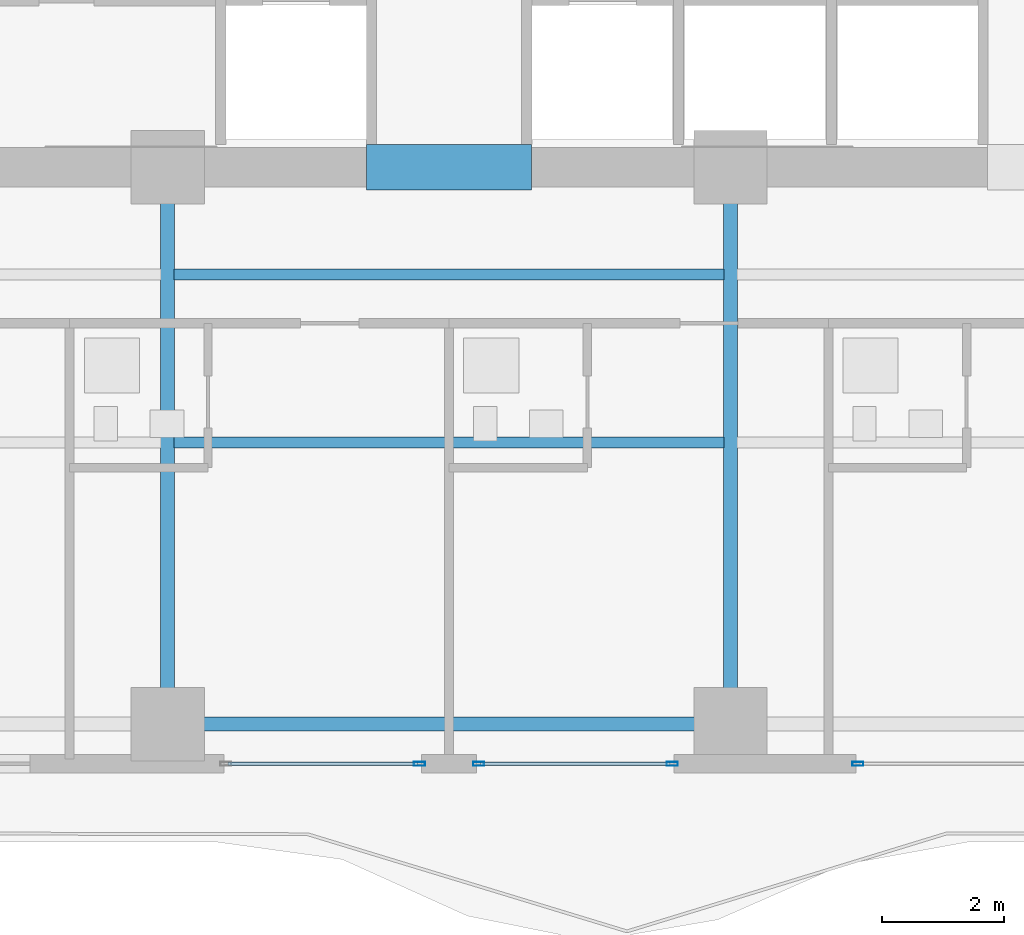
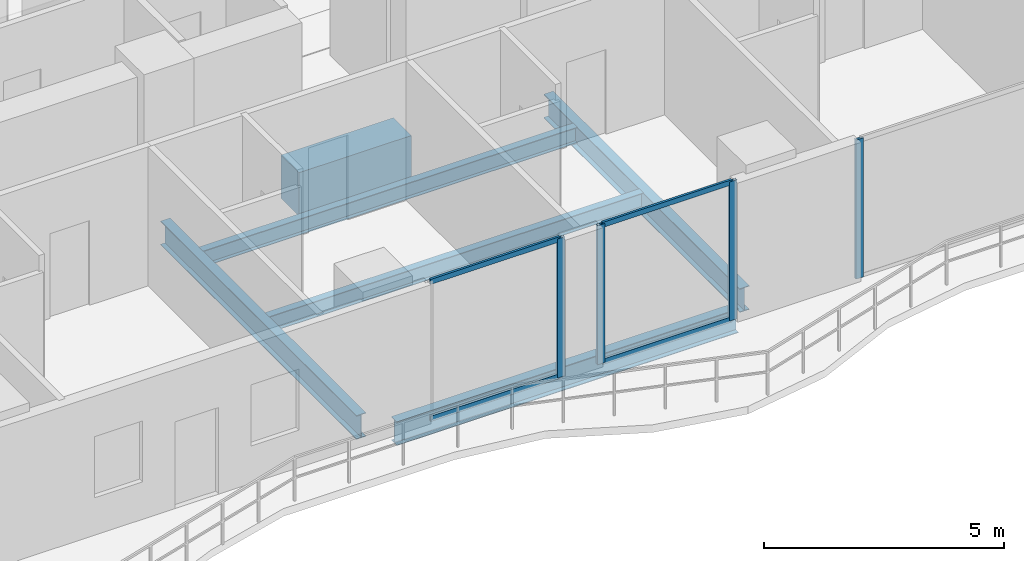
# One storey, part 6 of 32: 8 members, 6 beams, 3 elements without a shape of their own.
"""IFC4 building model written with IfcOpenShell, lengths in metres."""

from ifc_helpers import new_model, si_unit, direction, frame, origin, origin_2d, place, context, subcontext, project, spatial, rectangle, hollow_rectangle, i_section, extrude, material, layer, layer_set, material_profile, profile_set, type_object, element, aggregate, save


model = new_model("IFC4")

# Units and contexts
model_context = context("Model", 3, precision=1e-05, world=origin(), true_north=direction((0.0, 1.0)))
body_context = subcontext(model_context, "Body", "Model", "MODEL_VIEW")
ifc_project = project(units=[si_unit("LENGTHUNIT", "METRE"), si_unit("AREAUNIT", "SQUARE_METRE"), si_unit("VOLUMEUNIT", "CUBIC_METRE"), si_unit("PLANEANGLEUNIT", "RADIAN"), si_unit("MASSUNIT", "GRAM", prefix="KILO")], contexts=[model_context])

# Site, building, storey
site_placement = place(None, origin())
site = spatial("IfcSite", under=ifc_project, at=site_placement, CompositionType="ELEMENT")
building_placement = place(site_placement, origin())
building = spatial("IfcBuilding", under=site, at=building_placement, Name="Zuhayl Quay Hotel", CompositionType="ELEMENT")
storey_placement = place(building_placement, frame((0.0, 0.0, 196.14990234375)))
storey = spatial("IfcBuildingStorey", under=building, at=storey_placement, Name="L49", CompositionType="ELEMENT", Elevation=196.14990234375)

# Beams
ifc_material_1 = material(Name="Steel ASTM A992 Grade 50", Category="steel")
ifc_material_profile_1 = material_profile(ifc_material_1, i_section(OverallWidth=0.22802734375, OverallDepth=0.60693359375, WebThickness=0.01123046875, FlangeThickness=0.017333984375, at=origin_2d()), Name="W24X76")
ifc_profile_set_1 = profile_set([ifc_material_profile_1], Name="Steel ASTM A992 Grade 50")
beam_type_1 = type_object("IfcBeamType", Name="BM_B3_W24X76", PredefinedType="BEAM", material=ifc_profile_set_1)
beam_1_placement = place(storey_placement, frame((-4.10009765625, -6.949951171875, -0.5234375), z_axis=(1.0, 0.0, 0.0), x_axis=(0.0, 1.0, 0.0)))
element("IfcBeam", 1, at=beam_1_placement, inside=storey, type_object=beam_type_1, Name="L49 Floor Beam RG_L49_02", PredefinedType="BEAM", context=body_context, shape_type="SweptSolid", body=[
    extrude(i_section(OverallWidth=0.22802734375, OverallDepth=0.60693359375, WebThickness=0.01123046875, FlangeThickness=0.017333984375, at=origin_2d()), origin(), (0.0, 0.0, 1.0), 8.2001953125),
])
for number, where, z_axis, x_axis, name in (
    (2, (-4.60009765625, -6.449951171875, -0.5234375), (0.0, 1.0, 0.0), (-1.0, 0.0, 0.0), "L49 Floor Beam FG_S_L49_2"),
    (3, (4.60009765625, -6.449951171875, -0.5234375), (0.0, 1.0, 0.0), (-1.0, 0.0, 0.0), "L49 Floor Beam FG_S_L49_3"),
):
    element("IfcBeam", number, at=place(storey_placement, frame(where, z_axis=z_axis, x_axis=x_axis)), inside=storey, type_object=beam_type_1, Name=name, PredefinedType="BEAM", context=body_context, shape_type="SweptSolid", body=[
        extrude(i_section(OverallWidth=0.22802734375, OverallDepth=0.60693359375, WebThickness=0.01123046875, FlangeThickness=0.017333984375, at=origin_2d()), origin(), (0.0, 0.0, 1.0), 8.14990234375),
    ])
ifc_material_2 = material(Name="Concrete C60/75", Category="concrete")
ifc_material_profile_2 = material_profile(ifc_material_2, rectangle(XDim=0.75, YDim=1.10009765625, at=origin_2d()), Name="RC750X1100")
ifc_profile_set_2 = profile_set([ifc_material_profile_2], Name="Concrete C60/75")
beam_type_2 = type_object("IfcBeamType", Name="BM_CB2_RC750", PredefinedType="T_BEAM", material=ifc_profile_set_2)
beam_2_placement = place(storey_placement, frame((-1.35009765625, 2.14990234375, -0.77001953125), z_axis=(1.0, 0.0, 0.0), x_axis=(0.0, 1.0, 0.0)))
element("IfcBeam", 4, at=beam_2_placement, inside=storey, type_object=beam_type_2, Name="L49 Core Coupling Beam South", PredefinedType="T_BEAM", context=body_context, shape_type="SweptSolid", body=[
    extrude(rectangle(XDim=0.75, YDim=1.10009765625, at=origin_2d()), origin(), (0.0, 0.0, 1.0), 2.7001953125),
])
ifc_material_profile_3 = material_profile(ifc_material_1, i_section(OverallWidth=0.177978515625, OverallDepth=0.406005859375, WebThickness=0.0078125, FlangeThickness=0.0126953125, at=origin_2d()), Name="W16X40")
ifc_profile_set_3 = profile_set([ifc_material_profile_3], Name="Steel ASTM A992 Grade 50")
beam_type_3 = type_object("IfcBeamType", Name="BM_J2B_W16X40", PredefinedType="JOIST", material=ifc_profile_set_3)
for number, where, z_axis, x_axis, name in (
    (5, (-4.493896484375, -2.35009765625, -0.4228515625), (1.0, 0.0, 0.0), (0.0, 1.0, 0.0), "L49 Floor Beam FJ_L49_7_2"),
    (6, (-4.493896484375, 0.39990234375, -0.4228515625), (1.0, 0.0, 0.0), (0.0, 1.0, 0.0), "L49 Floor Beam FJ_L49_8_2"),
):
    element("IfcBeam", number, at=place(storey_placement, frame(where, z_axis=z_axis, x_axis=x_axis)), inside=storey, type_object=beam_type_3, Name=name, PredefinedType="JOIST", context=body_context, shape_type="SweptSolid", body=[
        extrude(i_section(OverallWidth=0.177978515625, OverallDepth=0.406005859375, WebThickness=0.0078125, FlangeThickness=0.0126953125, at=origin_2d()), origin(), (0.0, 0.0, 1.0), 8.98779296875),
    ])

# Curtain wall, member
ifc_material_3 = material(Name="Anodised Aluminium 6063-T6", Category="aluminium")
ifc_layer = layer(ifc_material_3, 0.175048828125, Name="Anodised Aluminium 6063-T6", Category="aluminium")
ifc_layer_set = layer_set([ifc_layer], Name="Anodised Aluminium 6063-T6")
curtain_wall_type = type_object("IfcCurtainWallType", Name="CW_SYS_Z3", PredefinedType="USERDEFINED", material=ifc_layer_set)
curtain_wall_1_placement = place(storey_placement, origin())
curtain_wall_1 = element("IfcCurtainWall", 7, at=curtain_wall_1_placement, inside=storey, type_object=curtain_wall_type, Name="L49 Curtain Wall ENV_L49_S_CW2", ObjectType="UNITISED CURTAIN WALL", PredefinedType="USERDEFINED")
ifc_material_4 = material(Name="Black-anodised aluminium 6063-T6", Category="aluminium")
ifc_material_profile_4 = material_profile(ifc_material_4, hollow_rectangle(XDim=0.06494140625, YDim=0.179931640625, WallThickness=0.00341796875, at=origin_2d()), Name="ALU180X65")
ifc_profile_set_4 = profile_set([ifc_material_profile_4], Name="Black-anodised aluminium 6063-T6")
member_type_1 = type_object("IfcMemberType", Name="MB_CW_MUL_180", PredefinedType="MULLION", material=ifc_profile_set_4)
member_1_placement = place(storey_placement, frame((6.6826171875, -7.60009765625, 0.0), z_axis=(0.0, 0.0, 1.0), x_axis=(0.0, -1.0, 0.0)))
member_1 = element("IfcMember", 8, at=member_1_placement, type_object=member_type_1, Name="CW-Z3 mullion 2", PredefinedType="MULLION", context=body_context, shape_type="SweptSolid", body=[
    extrude(hollow_rectangle(XDim=0.06494140625, YDim=0.179931640625, WallThickness=0.00341796875, at=origin_2d()), origin(), (0.0, 0.0, 1.0), 3.530029296875),
])
aggregate(curtain_wall_1, [member_1])

# Curtain wall, members
curtain_wall_2_placement = place(storey_placement, origin())
curtain_wall_2 = element("IfcCurtainWall", 9, at=curtain_wall_2_placement, inside=storey, type_object=curtain_wall_type, Name="L49 Curtain Wall ENV_L49_S_CW3", ObjectType="UNITISED CURTAIN WALL", PredefinedType="USERDEFINED")
member_2_placement = place(storey_placement, frame((3.6474609375, -7.60009765625, 0.0), z_axis=(0.0, 0.0, 1.0), x_axis=(0.0, -1.0, 0.0)))
member_2 = element("IfcMember", 10, at=member_2_placement, type_object=member_type_1, Name="CW-Z3 mullion 1", PredefinedType="MULLION", context=body_context, shape_type="SweptSolid", body=[
    extrude(hollow_rectangle(XDim=0.06494140625, YDim=0.179931640625, WallThickness=0.00341796875, at=origin_2d()), origin(), (0.0, 0.0, 1.0), 3.530029296875),
])
member_3_placement = place(storey_placement, frame((0.482421875, -7.60009765625, 0.0), z_axis=(0.0, 0.0, 1.0), x_axis=(0.0, -1.0, 0.0)))
member_3 = element("IfcMember", 11, at=member_3_placement, type_object=member_type_1, Name="CW-Z3 mullion 2", PredefinedType="MULLION", context=body_context, shape_type="SweptSolid", body=[
    extrude(hollow_rectangle(XDim=0.06494140625, YDim=0.179931640625, WallThickness=0.00341796875, at=origin_2d()), origin(), (0.0, 0.0, 1.0), 3.530029296875),
])

# Curtain wall, member
curtain_wall_3_placement = place(storey_placement, origin())
curtain_wall_3 = element("IfcCurtainWall", 12, at=curtain_wall_3_placement, inside=storey, type_object=curtain_wall_type, Name="L49 Curtain Wall ENV_L49_S_CW4", ObjectType="UNITISED CURTAIN WALL", PredefinedType="USERDEFINED")
member_4_placement = place(storey_placement, frame((-0.482421875, -7.60009765625, 0.0), z_axis=(0.0, 0.0, 1.0), x_axis=(0.0, -1.0, 0.0)))
member_4 = element("IfcMember", 13, at=member_4_placement, type_object=member_type_1, Name="CW-Z3 mullion 1", PredefinedType="MULLION", context=body_context, shape_type="SweptSolid", body=[
    extrude(hollow_rectangle(XDim=0.06494140625, YDim=0.179931640625, WallThickness=0.00341796875, at=origin_2d()), origin(), (0.0, 0.0, 1.0), 3.530029296875),
])

# Member
ifc_material_profile_5 = material_profile(ifc_material_4, hollow_rectangle(XDim=0.054931640625, YDim=0.1298828125, WallThickness=0.0029296875, at=origin_2d()), Name="ALU130X55")
ifc_profile_set_5 = profile_set([ifc_material_profile_5], Name="Black-anodised aluminium 6063-T6")
member_type_2 = type_object("IfcMemberType", Name="MB_CW_TRN_130", PredefinedType="USERDEFINED", material=ifc_profile_set_5)
member_5_placement = place(storey_placement, frame((3.614990234375, -7.60009765625, 0.027587890625), z_axis=(-1.0, 0.0, 0.0), x_axis=(0.0, -1.0, 0.0)))
member_5 = element("IfcMember", 14, at=member_5_placement, type_object=member_type_2, Name="CW-Z3 transom 1.1", ObjectType="TRANSOM", PredefinedType="USERDEFINED", context=body_context, shape_type="SweptSolid", body=[
    extrude(hollow_rectangle(XDim=0.054931640625, YDim=0.1298828125, WallThickness=0.0029296875, at=origin_2d()), origin(), (0.0, 0.0, 1.0), 3.10009765625),
])

member_6_placement = place(storey_placement, frame((3.614990234375, -7.60009765625, 3.502685546875), z_axis=(-1.0, 0.0, 0.0), x_axis=(0.0, -1.0, 0.0)))
member_6 = element("IfcMember", 15, at=member_6_placement, type_object=member_type_2, Name="CW-Z3 transom 1.2", ObjectType="TRANSOM", PredefinedType="USERDEFINED", context=body_context, shape_type="SweptSolid", body=[
    extrude(hollow_rectangle(XDim=0.054931640625, YDim=0.1298828125, WallThickness=0.0029296875, at=origin_2d()), origin(), (0.0, 0.0, 1.0), 3.10009765625),
])

aggregate(curtain_wall_2, [member_2, member_3, member_5, member_6])

member_7_placement = place(storey_placement, frame((-0.514892578125, -7.60009765625, 0.027587890625), z_axis=(-1.0, 0.0, 0.0), x_axis=(0.0, -1.0, 0.0)))
member_7 = element("IfcMember", 16, at=member_7_placement, type_object=member_type_2, Name="CW-Z3 transom 1.1", ObjectType="TRANSOM", PredefinedType="USERDEFINED", context=body_context, shape_type="SweptSolid", body=[
    extrude(hollow_rectangle(XDim=0.054931640625, YDim=0.1298828125, WallThickness=0.0029296875, at=origin_2d()), origin(), (0.0, 0.0, 1.0), 3.10009765625),
])

member_8_placement = place(storey_placement, frame((-0.514892578125, -7.60009765625, 3.502685546875), z_axis=(-1.0, 0.0, 0.0), x_axis=(0.0, -1.0, 0.0)))
member_8 = element("IfcMember", 17, at=member_8_placement, type_object=member_type_2, Name="CW-Z3 transom 1.2", ObjectType="TRANSOM", PredefinedType="USERDEFINED", context=body_context, shape_type="SweptSolid", body=[
    extrude(hollow_rectangle(XDim=0.054931640625, YDim=0.1298828125, WallThickness=0.0029296875, at=origin_2d()), origin(), (0.0, 0.0, 1.0), 3.10009765625),
])

aggregate(curtain_wall_3, [member_4, member_7, member_8])

save(model, "model.ifc")
